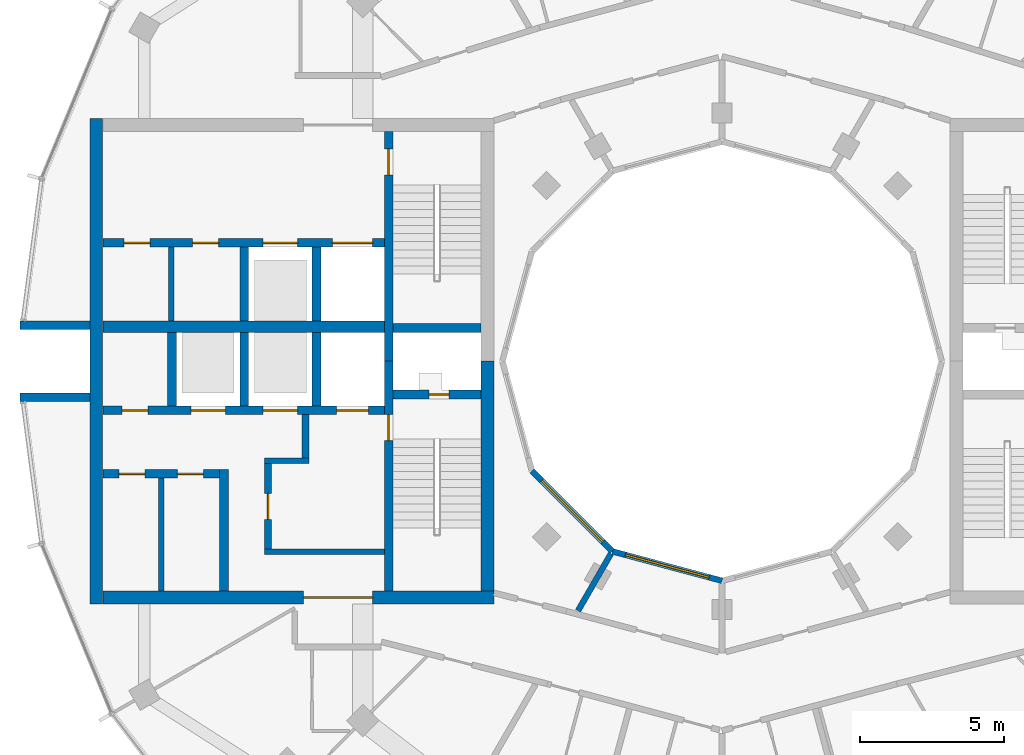
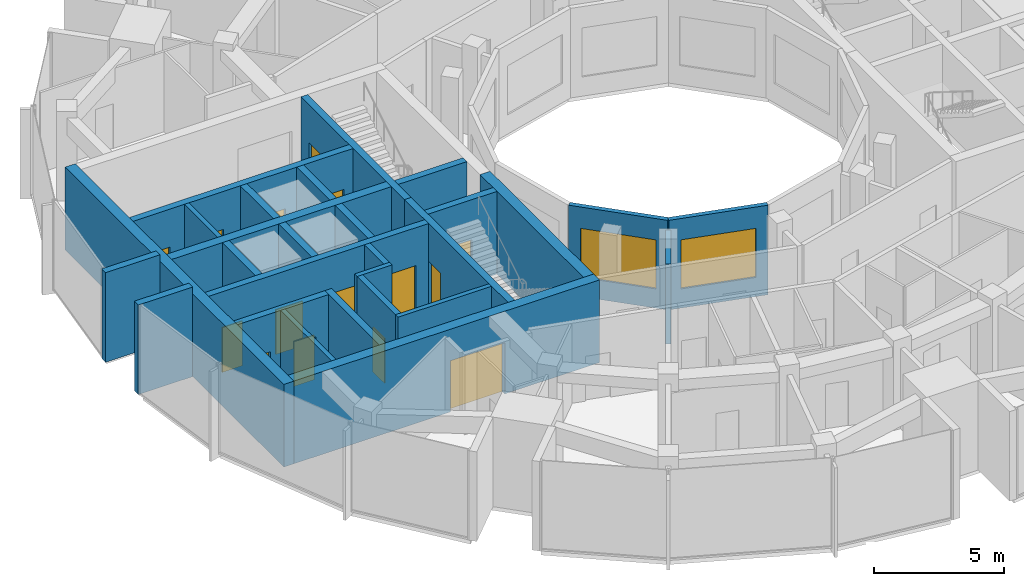
# One storey, part 9 of 15: 28 walls, 15 doors, 2 windows, 17 openings.
"""IFC4 building model written with IfcOpenShell, lengths in metres."""

from ifc_helpers import new_model, si_unit, direction, frame, frame_2d, origin, place, context, subcontext, project, spatial, rectangle, extrude, material, layer, layer_set, type_object, element, fill, save


model = new_model("IFC4")

# Units and contexts
model_context = context("Model", 3, precision=1e-05, world=origin(), true_north=direction((0.0, 1.0)))
body_context = subcontext(model_context, "Body", "Model", "MODEL_VIEW")
ifc_project = project(units=[si_unit("LENGTHUNIT", "METRE"), si_unit("AREAUNIT", "SQUARE_METRE"), si_unit("VOLUMEUNIT", "CUBIC_METRE"), si_unit("PLANEANGLEUNIT", "RADIAN"), si_unit("MASSUNIT", "GRAM", prefix="KILO")], contexts=[model_context])

# Site, building, storey
site_placement = place(None, origin())
site = spatial("IfcSite", under=ifc_project, at=site_placement, CompositionType="ELEMENT")
building_placement = place(site_placement, origin())
building = spatial("IfcBuilding", under=site, at=building_placement, Name="Torre Brocal", CompositionType="ELEMENT")
storey_placement = place(building_placement, frame((0.0, 0.0, 279.89990234375)))
storey = spatial("IfcBuildingStorey", under=building, at=storey_placement, Name="L64", CompositionType="ELEMENT", Elevation=279.89990234375)

# Walls
ifc_material_1 = material(Name="Masonry block", Category="masonry")
ifc_layer_1 = layer(ifc_material_1, 0.199951171875)
ifc_layer_set_1 = layer_set([ifc_layer_1], Name="Masonry block")
wall_type_1 = type_object("IfcWallType", Name="CORE PARTITION 200", PredefinedType="PARTITIONING", material=ifc_layer_set_1)
wall_1_placement = place(storey_placement, frame((60.925048828125, 78.949951171875, 0.0), z_axis=(0.0, 0.0, 1.0), x_axis=(0.0, -1.0, 0.0)))
element("IfcWall", 1, at=wall_1_placement, inside=storey, type_object=wall_type_1, Name="Wall CP200", PredefinedType="PARTITIONING", context=body_context, shape_type="SweptSolid", body=[
    extrude(rectangle(XDim=2.550048828125, YDim=0.199951171875, at=frame_2d((1.27490234375, 0.0))), origin(), (0.0, 0.0, 1.0), 3.880126953125),
])
wall_2_placement = place(storey_placement, frame((60.574951171875, 70.949951171875, 0.0), z_axis=(0.0, 0.0, 1.0), x_axis=(0.0, -1.0, 0.0)))
element("IfcWall", 2, at=wall_2_placement, inside=storey, type_object=wall_type_1, Name="Wall CP200", PredefinedType="PARTITIONING", context=body_context, shape_type="SweptSolid", body=[
    extrude(rectangle(XDim=3.89990234375, YDim=0.199951171875, at=frame_2d((1.949951171875, 0.0))), origin(), (0.0, 0.0, 1.0), 3.880126953125),
])
ifc_material_2 = material(Name="Concrete C50", Category="concrete")
ifc_layer_2 = layer(ifc_material_2, 0.199951171875)
ifc_layer_set_2 = layer_set([ifc_layer_2], Name="Concrete C50")
wall_type_2 = type_object("IfcWallType", Name="CORE WALL 200 C50", PredefinedType="SHEAR", material=ifc_layer_set_2)
wall_3_placement = place(storey_placement, frame((68.300048828125, 68.39990234375, 0.0), z_axis=(0.0, 0.0, 1.0), x_axis=(-1.0, 0.0, 0.0)))
element("IfcWall", 3, at=wall_3_placement, inside=storey, type_object=wall_type_2, Name="Wall CW200-50", PredefinedType="SHEAR", context=body_context, shape_type="SweptSolid", body=[
    extrude(rectangle(XDim=4.150146484375, YDim=0.199951171875, at=frame_2d((2.0751953125, 0.0))), origin(), (0.0, 0.0, 1.0), 3.880126953125),
])
wall_4_placement = place(storey_placement, frame((65.699951171875, 71.550048828125, 0.0), z_axis=(0.0, 0.0, 1.0), x_axis=(-1.0, 0.0, 0.0)))
element("IfcWall", 4, at=wall_4_placement, inside=storey, type_object=wall_type_2, Name="Wall CW200-50", PredefinedType="SHEAR", context=body_context, shape_type="SweptSolid", body=[
    extrude(rectangle(XDim=1.550048828125, YDim=0.199951171875, at=frame_2d((0.77490234375, 0.0))), origin(), (0.0, 0.0, 1.0), 3.880126953125),
])

# Wall, opening, door
ifc_material_3 = material(Name="Concrete C50", Category="concrete")
ifc_layer_3 = layer(ifc_material_3, 0.25)
ifc_layer_set_3 = layer_set([ifc_layer_3], Name="Concrete C50")
wall_type_3 = type_object("IfcWallType", Name="CORE WALL 250 C50", PredefinedType="SHEAR", material=ifc_layer_set_3)
wall_5_placement = place(storey_placement, frame((64.27490234375, 71.449951171875, 0.0), z_axis=(0.0, 0.0, 1.0), x_axis=(0.0, -1.0, 0.0)))
wall_5 = element("IfcWall", 5, at=wall_5_placement, inside=storey, type_object=wall_type_3, Name="Wall CW250-50", PredefinedType="SHEAR", context=body_context, shape_type="SweptSolid", body=[
    extrude(rectangle(XDim=2.949951171875, YDim=0.25, at=frame_2d((1.47509765625, 0.0))), origin(), (0.0, 0.0, 1.0), 3.880126953125),
])
opening_1_placement = place(wall_5_placement, frame((1.02490234375, 0.0, 0.0)))
opening_1 = element("IfcOpeningElement", 6, at=opening_1_placement, cuts=wall_5, Name="Opening W-D26", PredefinedType="OPENING", context=body_context, shape_type="SweptSolid", body=[
    extrude(rectangle(XDim=0.89990234375, YDim=2.10009765625, at=frame_2d((0.449951171875, 1.050048828125))), frame((0.0, 0.135009765625, 0.0), z_axis=(0.0, -1.0, 0.0), x_axis=(1.0, 0.0, 0.0)), (0.0, 0.0, 1.0), 0.27001953125),
])
ifc_material_4 = material(Name="Steel A653", Category="steel")
door_type_1 = type_object("IfcDoorType", Name="LOBBY DOOR FD120 900X2100", OperationType="SINGLE_SWING_RIGHT", PredefinedType="DOOR", material=ifc_material_4)
door_1_placement = place(opening_1_placement, origin())
door_1 = element("IfcDoor", 7, at=door_1_placement, inside=storey, type_object=door_type_1, Name="Door W-D26", OperationType="SINGLE_SWING_LEFT", OverallHeight=2.10009765625, OverallWidth=0.89990234375, PredefinedType="DOOR", context=body_context, shape_type="SweptSolid", body=[
    extrude(rectangle(XDim=0.89990234375, YDim=2.10009765625, at=frame_2d((0.449951171875, 1.050048828125))), frame((0.0, 0.02490234375, 0.0), z_axis=(0.0, -1.0, 0.0), x_axis=(1.0, 0.0, 0.0)), (0.0, 0.0, 1.0), 0.050048828125),
])
fill(opening_1, door_1)

# Wall
wall_6_placement = place(storey_placement, frame((65.574951171875, 73.14990234375, 0.0), z_axis=(0.0, 0.0, 1.0), x_axis=(0.0, -1.0, 0.0)))
element("IfcWall", 8, at=wall_6_placement, inside=storey, type_object=wall_type_3, Name="Wall CW250-50", PredefinedType="SHEAR", context=body_context, shape_type="SweptSolid", body=[
    extrude(rectangle(XDim=1.5, YDim=0.25, at=frame_2d((0.75, 0.0))), origin(), (0.0, 0.0, 1.0), 3.880126953125),
])

# Wall, opening, door
ifc_material_5 = material(Name="Concrete C50", Category="concrete")
ifc_layer_4 = layer(ifc_material_5, 0.300048828125)
ifc_layer_set_4 = layer_set([ifc_layer_4], Name="Concrete C50")
wall_type_4 = type_object("IfcWallType", Name="CORE WALL 300 C50", PredefinedType="SHEAR", material=ifc_layer_set_4)
wall_7_placement = place(storey_placement, frame((68.449951171875, 75.0, 0.0), z_axis=(0.0, 0.0, 1.0), x_axis=(0.0, -1.0, 0.0)))
wall_7 = element("IfcWall", 9, at=wall_7_placement, inside=storey, type_object=wall_type_4, Name="Wall CW300-50", PredefinedType="SHEAR", context=body_context, shape_type="SweptSolid", body=[
    extrude(rectangle(XDim=7.949951171875, YDim=0.300048828125, at=frame_2d((3.97509765625, 0.0))), origin(), (0.0, 0.0, 1.0), 3.880126953125),
])
opening_2_placement = place(wall_7_placement, frame((1.85009765625, 0.0, 0.0)))
opening_2 = element("IfcOpeningElement", 10, at=opening_2_placement, cuts=wall_7, Name="Opening W-D02", PredefinedType="OPENING", context=body_context, shape_type="SweptSolid", body=[
    extrude(rectangle(XDim=0.89990234375, YDim=2.10009765625, at=frame_2d((0.449951171875, 1.050048828125))), frame((0.0, 0.159912109375, 0.0), z_axis=(0.0, -1.0, 0.0), x_axis=(1.0, 0.0, 0.0)), (0.0, 0.0, 1.0), 0.320068359375),
])
ifc_material_6 = material(Name="Steel A653", Category="steel")
door_type_2 = type_object("IfcDoorType", Name="STAIR DOOR FD120 900X2100", OperationType="SINGLE_SWING_RIGHT", PredefinedType="DOOR", material=ifc_material_6)
door_2_placement = place(opening_2_placement, origin())
door_2 = element("IfcDoor", 11, at=door_2_placement, inside=storey, type_object=door_type_2, Name="Door W-D02", OperationType="SINGLE_SWING_LEFT", OverallHeight=2.10009765625, OverallWidth=0.89990234375, PredefinedType="DOOR", context=body_context, shape_type="SweptSolid", body=[
    extrude(rectangle(XDim=0.89990234375, YDim=2.10009765625, at=frame_2d((0.449951171875, 1.050048828125))), frame((0.0, 0.02490234375, 0.0), z_axis=(0.0, -1.0, 0.0), x_axis=(1.0, 0.0, 0.0)), (0.0, 0.0, 1.0), 0.050048828125),
])
fill(opening_2, door_2)

wall_8_placement = place(storey_placement, frame((68.449951171875, 82.949951171875, 0.0), z_axis=(0.0, 0.0, 1.0), x_axis=(0.0, -1.0, 0.0)))
wall_8 = element("IfcWall", 12, at=wall_8_placement, inside=storey, type_object=wall_type_4, Name="Wall CW300-50", PredefinedType="SHEAR", context=body_context, shape_type="SweptSolid", body=[
    extrude(rectangle(XDim=7.949951171875, YDim=0.300048828125, at=frame_2d((3.97509765625, 0.0))), origin(), (0.0, 0.0, 1.0), 3.880126953125),
])
opening_3_placement = place(wall_8_placement, frame((0.60009765625, 0.0, 0.0)))
opening_3 = element("IfcOpeningElement", 13, at=opening_3_placement, cuts=wall_8, Name="Opening W-D03", PredefinedType="OPENING", context=body_context, shape_type="SweptSolid", body=[
    extrude(rectangle(XDim=0.89990234375, YDim=2.10009765625, at=frame_2d((0.449951171875, 1.050048828125))), frame((0.0, 0.159912109375, 0.0), z_axis=(0.0, -1.0, 0.0), x_axis=(1.0, 0.0, 0.0)), (0.0, 0.0, 1.0), 0.320068359375),
])
door_3_placement = place(opening_3_placement, origin())
door_3 = element("IfcDoor", 14, at=door_3_placement, inside=storey, type_object=door_type_2, Name="Door W-D03", OperationType="SINGLE_SWING_LEFT", OverallHeight=2.10009765625, OverallWidth=0.89990234375, PredefinedType="DOOR", context=body_context, shape_type="SweptSolid", body=[
    extrude(rectangle(XDim=0.89990234375, YDim=2.10009765625, at=frame_2d((0.449951171875, 1.050048828125))), frame((0.0, 0.02490234375, 0.0), z_axis=(0.0, -1.0, 0.0), x_axis=(1.0, 0.0, 0.0)), (0.0, 0.0, 1.0), 0.050048828125),
])
fill(opening_3, door_3)

wall_9_placement = place(storey_placement, frame((71.64990234375, 73.85009765625, 0.0), z_axis=(0.0, 0.0, 1.0), x_axis=(-1.0, 0.0, 0.0)))
wall_9 = element("IfcWall", 15, at=wall_9_placement, inside=storey, type_object=wall_type_4, Name="Wall CW300-50", PredefinedType="SHEAR", context=body_context, shape_type="SweptSolid", body=[
    extrude(rectangle(XDim=3.0498046875, YDim=0.300048828125, at=frame_2d((1.52490234375, 0.0))), origin(), (0.0, 0.0, 1.0), 3.880126953125),
])
opening_4_placement = place(wall_9_placement, frame((1.10009765625, 0.0, 0.0)))
opening_4 = element("IfcOpeningElement", 16, at=opening_4_placement, cuts=wall_9, Name="Opening W-D01", PredefinedType="OPENING", context=body_context, shape_type="SweptSolid", body=[
    extrude(rectangle(XDim=0.699951171875, YDim=2.0, at=frame_2d((0.35009765625, 1.0))), frame((0.0, 0.159912109375, 0.0), z_axis=(0.0, -1.0, 0.0), x_axis=(1.0, 0.0, 0.0)), (0.0, 0.0, 1.0), 0.320068359375),
])
ifc_material_7 = material(Name="Steel A653", Category="steel")
door_type_3 = type_object("IfcDoorType", Name="RISER DOOR FD120 700X2000", OperationType="SINGLE_SWING_LEFT", PredefinedType="DOOR", material=ifc_material_7)
door_4_placement = place(opening_4_placement, frame((0.699951171875, 0.0, 0.0), z_axis=(0.0, 0.0, 1.0), x_axis=(-1.0, 0.0, 0.0)))
door_4 = element("IfcDoor", 17, at=door_4_placement, inside=storey, type_object=door_type_3, Name="Door W-D01", OperationType="SINGLE_SWING_RIGHT", OverallHeight=2.0, OverallWidth=0.699951171875, PredefinedType="DOOR", context=body_context, shape_type="SweptSolid", body=[
    extrude(rectangle(XDim=0.699951171875, YDim=2.0, at=frame_2d((0.35009765625, 1.0))), frame((0.0, 0.02490234375, 0.0), z_axis=(0.0, -1.0, 0.0), x_axis=(1.0, 0.0, 0.0)), (0.0, 0.0, 1.0), 0.050048828125),
])
fill(opening_4, door_4)

# Wall
wall_10_placement = place(storey_placement, frame((71.64990234375, 76.14990234375, 0.0), z_axis=(0.0, 0.0, 1.0), x_axis=(-1.0, 0.0, 0.0)))
element("IfcWall", 18, at=wall_10_placement, inside=storey, type_object=wall_type_4, Name="Wall CW300-50", PredefinedType="SHEAR", context=body_context, shape_type="SweptSolid", body=[
    extrude(rectangle(XDim=3.0498046875, YDim=0.300048828125, at=frame_2d((1.52490234375, 0.0))), origin(), (0.0, 0.0, 1.0), 3.880126953125),
])

# Wall, openings, doors
wall_11_placement = place(storey_placement, frame((68.300048828125, 73.300048828125, 0.0), z_axis=(0.0, 0.0, 1.0), x_axis=(-1.0, 0.0, 0.0)))
wall_11 = element("IfcWall", 19, at=wall_11_placement, inside=storey, type_object=wall_type_4, Name="Wall CW300-50", PredefinedType="SHEAR", context=body_context, shape_type="SweptSolid", body=[
    extrude(rectangle(XDim=9.75, YDim=0.300048828125, at=frame_2d((4.875, 0.0))), origin(), (0.0, 0.0, 1.0), 3.880126953125),
])
opening_5_placement = place(wall_11_placement, frame((0.550048828125, 0.0, 0.0)))
opening_5 = element("IfcOpeningElement", 20, at=opening_5_placement, cuts=wall_11, Name="Opening LD", PredefinedType="OPENING", context=body_context, shape_type="SweptSolid", body=[
    extrude(rectangle(XDim=1.10009765625, YDim=2.10009765625, at=frame_2d((0.550048828125, 1.050048828125))), frame((0.0, 0.159912109375, 0.0), z_axis=(0.0, -1.0, 0.0), x_axis=(1.0, 0.0, 0.0)), (0.0, 0.0, 1.0), 0.320068359375),
])
opening_6_placement = place(wall_11_placement, frame((3.0, 0.0, 0.0)))
opening_6 = element("IfcOpeningElement", 21, at=opening_6_placement, cuts=wall_11, Name="Opening LD12", PredefinedType="OPENING", context=body_context, shape_type="SweptSolid", body=[
    extrude(rectangle(XDim=1.199951171875, YDim=2.10009765625, at=frame_2d((0.60009765625, 1.050048828125))), frame((0.0, 0.159912109375, 0.0), z_axis=(0.0, -1.0, 0.0), x_axis=(1.0, 0.0, 0.0)), (0.0, 0.0, 1.0), 0.320068359375),
])
opening_7_placement = place(wall_11_placement, frame((5.5, 0.0, 0.0)))
opening_7 = element("IfcOpeningElement", 22, at=opening_7_placement, cuts=wall_11, Name="Opening LD12", PredefinedType="OPENING", context=body_context, shape_type="SweptSolid", body=[
    extrude(rectangle(XDim=1.199951171875, YDim=2.10009765625, at=frame_2d((0.60009765625, 1.050048828125))), frame((0.0, 0.159912109375, 0.0), z_axis=(0.0, -1.0, 0.0), x_axis=(1.0, 0.0, 0.0)), (0.0, 0.0, 1.0), 0.320068359375),
])
opening_8_placement = place(wall_11_placement, frame((8.175048828125, 0.0, 0.0)))
opening_8 = element("IfcOpeningElement", 23, at=opening_8_placement, cuts=wall_11, Name="Opening W-D04", PredefinedType="OPENING", context=body_context, shape_type="SweptSolid", body=[
    extrude(rectangle(XDim=0.89990234375, YDim=2.10009765625, at=frame_2d((0.449951171875, 1.050048828125))), frame((0.0, 0.159912109375, 0.0), z_axis=(0.0, -1.0, 0.0), x_axis=(1.0, 0.0, 0.0)), (0.0, 0.0, 1.0), 0.320068359375),
])
ifc_material_8 = material(Name="Stainless steel AISI 316", Category="steel")
door_type_4 = type_object("IfcDoorType", Name="LIFT LANDING DOOR 1100X2100", OperationType="DOUBLE_DOOR_SLIDING", PredefinedType="DOOR", material=ifc_material_8)
door_5_placement = place(opening_5_placement, origin())
door_5 = element("IfcDoor", 24, at=door_5_placement, inside=storey, type_object=door_type_4, Name="Door LD", OperationType="DOUBLE_DOOR_SLIDING", OverallHeight=2.10009765625, OverallWidth=1.10009765625, PredefinedType="DOOR", context=body_context, shape_type="SweptSolid", body=[
    extrude(rectangle(XDim=1.10009765625, YDim=2.10009765625, at=frame_2d((0.550048828125, 1.050048828125))), frame((0.0, 0.02490234375, 0.0), z_axis=(0.0, -1.0, 0.0), x_axis=(1.0, 0.0, 0.0)), (0.0, 0.0, 1.0), 0.050048828125),
])
fill(opening_5, door_5)
ifc_material_9 = material(Name="Stainless steel AISI 316", Category="steel")
door_type_5 = type_object("IfcDoorType", Name="LIFT LANDING DOOR 1200X2100", OperationType="DOUBLE_DOOR_SLIDING", PredefinedType="DOOR", material=ifc_material_9)
door_6_placement = place(opening_6_placement, origin())
door_6 = element("IfcDoor", 25, at=door_6_placement, inside=storey, type_object=door_type_5, Name="Door LD12", OperationType="DOUBLE_DOOR_SLIDING", OverallHeight=2.10009765625, OverallWidth=1.199951171875, PredefinedType="DOOR", context=body_context, shape_type="SweptSolid", body=[
    extrude(rectangle(XDim=1.199951171875, YDim=2.10009765625, at=frame_2d((0.60009765625, 1.050048828125))), frame((0.0, 0.02490234375, 0.0), z_axis=(0.0, -1.0, 0.0), x_axis=(1.0, 0.0, 0.0)), (0.0, 0.0, 1.0), 0.050048828125),
])
fill(opening_6, door_6)
door_7_placement = place(opening_7_placement, origin())
door_7 = element("IfcDoor", 26, at=door_7_placement, inside=storey, type_object=door_type_5, Name="Door LD12", OperationType="DOUBLE_DOOR_SLIDING", OverallHeight=2.10009765625, OverallWidth=1.199951171875, PredefinedType="DOOR", context=body_context, shape_type="SweptSolid", body=[
    extrude(rectangle(XDim=1.199951171875, YDim=2.10009765625, at=frame_2d((0.60009765625, 1.050048828125))), frame((0.0, 0.02490234375, 0.0), z_axis=(0.0, -1.0, 0.0), x_axis=(1.0, 0.0, 0.0)), (0.0, 0.0, 1.0), 0.050048828125),
])
fill(opening_7, door_7)
ifc_material_10 = material(Name="Steel A653", Category="steel")
door_type_6 = type_object("IfcDoorType", Name="ROOM DOOR FD30S 900X2100", OperationType="SINGLE_SWING_LEFT", PredefinedType="DOOR", material=ifc_material_10)
door_8_placement = place(opening_8_placement, frame((0.89990234375, 0.0, 0.0), z_axis=(0.0, 0.0, 1.0), x_axis=(-1.0, 0.0, 0.0)))
door_8 = element("IfcDoor", 27, at=door_8_placement, inside=storey, type_object=door_type_6, Name="Door W-D04", OperationType="SINGLE_SWING_LEFT", OverallHeight=2.10009765625, OverallWidth=0.89990234375, PredefinedType="DOOR", context=body_context, shape_type="SweptSolid", body=[
    extrude(rectangle(XDim=0.89990234375, YDim=2.10009765625, at=frame_2d((0.449951171875, 1.050048828125))), frame((0.0, 0.02490234375, 0.0), z_axis=(0.0, -1.0, 0.0), x_axis=(1.0, 0.0, 0.0)), (0.0, 0.0, 1.0), 0.050048828125),
])
fill(opening_8, door_8)

wall_12_placement = place(storey_placement, frame((68.300048828125, 79.10009765625, 0.0), z_axis=(0.0, 0.0, 1.0), x_axis=(-1.0, 0.0, 0.0)))
wall_12 = element("IfcWall", 28, at=wall_12_placement, inside=storey, type_object=wall_type_4, Name="Wall CW300-50", PredefinedType="SHEAR", context=body_context, shape_type="SweptSolid", body=[
    extrude(rectangle(XDim=9.75, YDim=0.300048828125, at=frame_2d((4.875, 0.0))), origin(), (0.0, 0.0, 1.0), 3.880126953125),
])
opening_9_placement = place(wall_12_placement, frame((0.39990234375, 0.0, 0.0)))
opening_9 = element("IfcOpeningElement", 29, at=opening_9_placement, cuts=wall_12, Name="Opening LD14", PredefinedType="OPENING", context=body_context, shape_type="SweptSolid", body=[
    extrude(rectangle(XDim=1.39990234375, YDim=2.10009765625, at=frame_2d((0.699951171875, 1.050048828125))), frame((0.0, 0.159912109375, 0.0), z_axis=(0.0, -1.0, 0.0), x_axis=(1.0, 0.0, 0.0)), (0.0, 0.0, 1.0), 0.320068359375),
])
opening_10_placement = place(wall_12_placement, frame((3.0, 0.0, 0.0)))
opening_10 = element("IfcOpeningElement", 30, at=opening_10_placement, cuts=wall_12, Name="Opening LD12", PredefinedType="OPENING", context=body_context, shape_type="SweptSolid", body=[
    extrude(rectangle(XDim=1.199951171875, YDim=2.10009765625, at=frame_2d((0.60009765625, 1.050048828125))), frame((0.0, 0.159912109375, 0.0), z_axis=(0.0, -1.0, 0.0), x_axis=(1.0, 0.0, 0.0)), (0.0, 0.0, 1.0), 0.320068359375),
])
opening_11_placement = place(wall_12_placement, frame((5.737548828125, 0.0, 0.0)))
opening_11 = element("IfcOpeningElement", 31, at=opening_11_placement, cuts=wall_12, Name="Opening W-D05", PredefinedType="OPENING", context=body_context, shape_type="SweptSolid", body=[
    extrude(rectangle(XDim=0.89990234375, YDim=2.10009765625, at=frame_2d((0.449951171875, 1.050048828125))), frame((0.0, 0.159912109375, 0.0), z_axis=(0.0, -1.0, 0.0), x_axis=(1.0, 0.0, 0.0)), (0.0, 0.0, 1.0), 0.320068359375),
])
opening_12_placement = place(wall_12_placement, frame((8.112548828125, 0.0, 0.0)))
opening_12 = element("IfcOpeningElement", 32, at=opening_12_placement, cuts=wall_12, Name="Opening W-D06", PredefinedType="OPENING", context=body_context, shape_type="SweptSolid", body=[
    extrude(rectangle(XDim=0.89990234375, YDim=2.10009765625, at=frame_2d((0.449951171875, 1.050048828125))), frame((0.0, 0.159912109375, 0.0), z_axis=(0.0, -1.0, 0.0), x_axis=(1.0, 0.0, 0.0)), (0.0, 0.0, 1.0), 0.320068359375),
])
door_9_placement = place(opening_10_placement, origin())
door_9 = element("IfcDoor", 33, at=door_9_placement, inside=storey, type_object=door_type_5, Name="Door LD12", OperationType="DOUBLE_DOOR_SLIDING", OverallHeight=2.10009765625, OverallWidth=1.199951171875, PredefinedType="DOOR", context=body_context, shape_type="SweptSolid", body=[
    extrude(rectangle(XDim=1.199951171875, YDim=2.10009765625, at=frame_2d((0.60009765625, 1.050048828125))), frame((0.0, 0.02490234375, 0.0), z_axis=(0.0, -1.0, 0.0), x_axis=(1.0, 0.0, 0.0)), (0.0, 0.0, 1.0), 0.050048828125),
])
fill(opening_10, door_9)
ifc_material_11 = material(Name="Stainless steel AISI 316", Category="steel")
door_type_7 = type_object("IfcDoorType", Name="LIFT LANDING DOOR 1400X2100", OperationType="DOUBLE_DOOR_SLIDING", PredefinedType="DOOR", material=ifc_material_11)
door_10_placement = place(opening_9_placement, origin())
door_10 = element("IfcDoor", 34, at=door_10_placement, inside=storey, type_object=door_type_7, Name="Door LD14", OperationType="DOUBLE_DOOR_SLIDING", OverallHeight=2.10009765625, OverallWidth=1.39990234375, PredefinedType="DOOR", context=body_context, shape_type="SweptSolid", body=[
    extrude(rectangle(XDim=1.39990234375, YDim=2.10009765625, at=frame_2d((0.699951171875, 1.050048828125))), frame((0.0, 0.02490234375, 0.0), z_axis=(0.0, -1.0, 0.0), x_axis=(1.0, 0.0, 0.0)), (0.0, 0.0, 1.0), 0.050048828125),
])
fill(opening_9, door_10)
door_11_placement = place(opening_11_placement, origin())
door_11 = element("IfcDoor", 35, at=door_11_placement, inside=storey, type_object=door_type_6, Name="Door W-D05", OperationType="SINGLE_SWING_RIGHT", OverallHeight=2.10009765625, OverallWidth=0.89990234375, PredefinedType="DOOR", context=body_context, shape_type="SweptSolid", body=[
    extrude(rectangle(XDim=0.89990234375, YDim=2.10009765625, at=frame_2d((0.449951171875, 1.050048828125))), frame((0.0, 0.02490234375, 0.0), z_axis=(0.0, -1.0, 0.0), x_axis=(1.0, 0.0, 0.0)), (0.0, 0.0, 1.0), 0.050048828125),
])
fill(opening_11, door_11)
door_12_placement = place(opening_12_placement, origin())
door_12 = element("IfcDoor", 36, at=door_12_placement, inside=storey, type_object=door_type_6, Name="Door W-D06", OperationType="SINGLE_SWING_LEFT", OverallHeight=2.10009765625, OverallWidth=0.89990234375, PredefinedType="DOOR", context=body_context, shape_type="SweptSolid", body=[
    extrude(rectangle(XDim=0.89990234375, YDim=2.10009765625, at=frame_2d((0.449951171875, 1.050048828125))), frame((0.0, 0.02490234375, 0.0), z_axis=(0.0, -1.0, 0.0), x_axis=(1.0, 0.0, 0.0)), (0.0, 0.0, 1.0), 0.050048828125),
])
fill(opening_12, door_12)

# Walls
for number, where, z_axis, x_axis, name in (
    (37, (65.949951171875, 76.0, 0.0), (0.0, 0.0, 1.0), (0.0, -1.0, 0.0), "Wall CW300-50"),
    (38, (63.449951171875, 76.0, 0.0), (0.0, 0.0, 1.0), (0.0, -1.0, 0.0), "Wall CW300-50"),
    (39, (60.949951171875, 76.0, 0.0), (0.0, 0.0, 1.0), (0.0, -1.0, 0.0), "Wall CW300-50"),
    (40, (65.949951171875, 78.949951171875, 0.0), (0.0, 0.0, 1.0), (0.0, -1.0, 0.0), "Wall CW300-50"),
    (41, (63.449951171875, 78.949951171875, 0.0), (0.0, 0.0, 1.0), (0.0, -1.0, 0.0), "Wall CW300-50"),
):
    element("IfcWall", number, at=place(storey_placement, frame(where, z_axis=z_axis, x_axis=x_axis)), inside=storey, type_object=wall_type_4, Name=name, PredefinedType="SHEAR", context=body_context, shape_type="SweptSolid", body=[
        extrude(rectangle(XDim=2.550048828125, YDim=0.300048828125, at=frame_2d((1.27490234375, 0.0))), origin(), (0.0, 0.0, 1.0), 3.880126953125),
    ])
wall_13_placement = place(storey_placement, frame((62.75, 71.25, 0.0), z_axis=(0.0, 0.0, 1.0), x_axis=(0.0, -1.0, 0.0)))
element("IfcWall", 42, at=wall_13_placement, inside=storey, type_object=wall_type_4, Name="Wall CW300-50", PredefinedType="SHEAR", context=body_context, shape_type="SweptSolid", body=[
    extrude(rectangle(XDim=4.199951171875, YDim=0.300048828125, at=frame_2d((2.10009765625, 0.0))), origin(), (0.0, 0.0, 1.0), 3.880126953125),
])

# Wall, openings, doors
wall_14_placement = place(storey_placement, frame((62.60009765625, 71.10009765625, 0.0), z_axis=(0.0, 0.0, 1.0), x_axis=(-1.0, 0.0, 0.0)))
wall_14 = element("IfcWall", 43, at=wall_14_placement, inside=storey, type_object=wall_type_4, Name="Wall CW300-50", PredefinedType="SHEAR", context=body_context, shape_type="SweptSolid", body=[
    extrude(rectangle(XDim=4.050048828125, YDim=0.300048828125, at=frame_2d((2.02490234375, 0.0))), origin(), (0.0, 0.0, 1.0), 3.880126953125),
])
opening_13_placement = place(wall_14_placement, frame((0.5625, 0.0, 0.0)))
opening_13 = element("IfcOpeningElement", 44, at=opening_13_placement, cuts=wall_14, Name="Opening W-D28", PredefinedType="OPENING", context=body_context, shape_type="SweptSolid", body=[
    extrude(rectangle(XDim=0.89990234375, YDim=2.10009765625, at=frame_2d((0.449951171875, 1.050048828125))), frame((0.0, 0.159912109375, 0.0), z_axis=(0.0, -1.0, 0.0), x_axis=(1.0, 0.0, 0.0)), (0.0, 0.0, 1.0), 0.320068359375),
])
opening_14_placement = place(wall_14_placement, frame((2.58740234375, 0.0, 0.0)))
opening_14 = element("IfcOpeningElement", 45, at=opening_14_placement, cuts=wall_14, Name="Opening W-D09", PredefinedType="OPENING", context=body_context, shape_type="SweptSolid", body=[
    extrude(rectangle(XDim=0.89990234375, YDim=2.10009765625, at=frame_2d((0.449951171875, 1.050048828125))), frame((0.0, 0.159912109375, 0.0), z_axis=(0.0, -1.0, 0.0), x_axis=(1.0, 0.0, 0.0)), (0.0, 0.0, 1.0), 0.320068359375),
])
door_13_placement = place(opening_13_placement, origin())
door_13 = element("IfcDoor", 46, at=door_13_placement, inside=storey, type_object=door_type_6, Name="Door W-D28", OperationType="SINGLE_SWING_RIGHT", OverallHeight=2.10009765625, OverallWidth=0.89990234375, PredefinedType="DOOR", context=body_context, shape_type="SweptSolid", body=[
    extrude(rectangle(XDim=0.89990234375, YDim=2.10009765625, at=frame_2d((0.449951171875, 1.050048828125))), frame((0.0, 0.02490234375, 0.0), z_axis=(0.0, -1.0, 0.0), x_axis=(1.0, 0.0, 0.0)), (0.0, 0.0, 1.0), 0.050048828125),
])
fill(opening_13, door_13)
door_14_placement = place(opening_14_placement, origin())
door_14 = element("IfcDoor", 47, at=door_14_placement, inside=storey, type_object=door_type_6, Name="Door W-D09", OperationType="SINGLE_SWING_LEFT", OverallHeight=2.10009765625, OverallWidth=0.89990234375, PredefinedType="DOOR", context=body_context, shape_type="SweptSolid", body=[
    extrude(rectangle(XDim=0.89990234375, YDim=2.10009765625, at=frame_2d((0.449951171875, 1.050048828125))), frame((0.0, 0.02490234375, 0.0), z_axis=(0.0, -1.0, 0.0), x_axis=(1.0, 0.0, 0.0)), (0.0, 0.0, 1.0), 0.050048828125),
])
fill(opening_14, door_14)

# Wall
ifc_material_12 = material(Name="Concrete C50", Category="concrete")
ifc_layer_5 = layer(ifc_material_12, 0.39990234375)
ifc_layer_set_5 = layer_set([ifc_layer_5], Name="Concrete C50")
wall_type_5 = type_object("IfcWallType", Name="CORE WALL 400 C50", PredefinedType="SHEAR", material=ifc_layer_set_5)
wall_15_placement = place(storey_placement, frame((68.300048828125, 76.199951171875, 0.0), z_axis=(0.0, 0.0, 1.0), x_axis=(-1.0, 0.0, 0.0)))
element("IfcWall", 48, at=wall_15_placement, inside=storey, type_object=wall_type_5, Name="Wall CW400-50", PredefinedType="SHEAR", context=body_context, shape_type="SweptSolid", body=[
    extrude(rectangle(XDim=9.75, YDim=0.39990234375, at=frame_2d((4.875, 0.0))), origin(), (0.0, 0.0, 1.0), 3.880126953125),
])

# Wall, opening, door
ifc_material_13 = material(Name="Concrete C50", Category="concrete")
ifc_layer_6 = layer(ifc_material_13, 0.449951171875)
ifc_layer_set_6 = layer_set([ifc_layer_6], Name="Concrete C50")
wall_type_6 = type_object("IfcWallType", Name="CORE WALL 450 C50", PredefinedType="SHEAR", material=ifc_layer_set_6)
wall_16_placement = place(storey_placement, frame((72.10009765625, 66.824951171875, 0.0), z_axis=(0.0, 0.0, 1.0), x_axis=(-1.0, 0.0, 0.0)))
wall_16 = element("IfcWall", 49, at=wall_16_placement, inside=storey, type_object=wall_type_6, Name="Wall CW450-50", PredefinedType="SHEAR", context=body_context, shape_type="SweptSolid", body=[
    extrude(rectangle(XDim=13.550048828125, YDim=0.449951171875, at=frame_2d((6.77490234375, 0.0))), origin(), (0.0, 0.0, 1.0), 3.880126953125),
])
opening_15_placement = place(wall_16_placement, frame((4.199951171875, 0.0, 0.0)))
opening_15 = element("IfcOpeningElement", 50, at=opening_15_placement, cuts=wall_16, Name="Opening W-D32", PredefinedType="OPENING", context=body_context, shape_type="SweptSolid", body=[
    extrude(rectangle(XDim=2.39990234375, YDim=2.39990234375, at=frame_2d((1.199951171875, 1.199951171875))), frame((0.0, 0.23486328125, 0.0), z_axis=(0.0, -1.0, 0.0), x_axis=(1.0, 0.0, 0.0)), (0.0, 0.0, 1.0), 0.469970703125),
])
ifc_material_14 = material(Name="Steel A653", Category="steel")
door_type_8 = type_object("IfcDoorType", Name="DOUBLE FIRE DOOR FD90 2400X2400", OperationType="DOUBLE_DOOR_SINGLE_SWING", PredefinedType="DOOR", material=ifc_material_14)
door_15_placement = place(opening_15_placement, frame((2.39990234375, 0.0, 0.0), z_axis=(0.0, 0.0, 1.0), x_axis=(-1.0, 0.0, 0.0)))
door_15 = element("IfcDoor", 51, at=door_15_placement, inside=storey, type_object=door_type_8, Name="Door W-D32", OperationType="DOUBLE_DOOR_SINGLE_SWING", OverallHeight=2.39990234375, OverallWidth=2.39990234375, PredefinedType="DOOR", context=body_context, shape_type="SweptSolid", body=[
    extrude(rectangle(XDim=2.39990234375, YDim=2.39990234375, at=frame_2d((1.199951171875, 1.199951171875))), frame((0.0, 0.02490234375, 0.0), z_axis=(0.0, -1.0, 0.0), x_axis=(1.0, 0.0, 0.0)), (0.0, 0.0, 1.0), 0.050048828125),
])
fill(opening_15, door_15)

# Walls
wall_17_placement = place(storey_placement, frame((71.875, 75.0, 0.0), z_axis=(0.0, 0.0, 1.0), x_axis=(0.0, -1.0, 0.0)))
element("IfcWall", 52, at=wall_17_placement, inside=storey, type_object=wall_type_6, Name="Wall CW450-50", PredefinedType="SHEAR", context=body_context, shape_type="SweptSolid", body=[
    extrude(rectangle(XDim=7.949951171875, YDim=0.449951171875, at=frame_2d((3.97509765625, 0.0))), origin(), (0.0, 0.0, 1.0), 3.880126953125),
])
wall_18_placement = place(storey_placement, frame((58.324951171875, 83.39990234375, 0.0), z_axis=(0.0, 0.0, 1.0), x_axis=(0.0, -1.0, 0.0)))
element("IfcWall", 53, at=wall_18_placement, inside=storey, type_object=wall_type_6, Name="Wall CW450-50", PredefinedType="SHEAR", context=body_context, shape_type="SweptSolid", body=[
    extrude(rectangle(XDim=16.7998046875, YDim=0.449951171875, at=frame_2d((8.39990234375, 0.0))), origin(), (0.0, 0.0, 1.0), 3.880126953125),
])
ifc_material_15 = material(Name="Concrete C50", Category="concrete")
ifc_layer_7 = layer(ifc_material_15, 0.300048828125)
ifc_layer_set_7 = layer_set([ifc_layer_7], Name="Concrete C50")
wall_type_7 = type_object("IfcWallType", Name="NOTCH RETURN WALL 300 C50", PredefinedType="NOTDEFINED", material=ifc_layer_set_7)
for number, where, z_axis, x_axis, name in (
    (54, (58.10009765625, 76.25, 0.0), (0.0, 0.0, 1.0), (-1.0, 0.0, 0.0), "NOTCH RETURN WALL"),
    (55, (58.10009765625, 73.75, 0.0), (0.0, 0.0, 1.0), (-1.0, 0.0, 0.0), "NOTCH RETURN WALL"),
):
    element("IfcWall", number, at=place(storey_placement, frame(where, z_axis=z_axis, x_axis=x_axis)), inside=storey, type_object=wall_type_7, Name=name, PredefinedType="NOTDEFINED", context=body_context, shape_type="SweptSolid", body=[
        extrude(rectangle(XDim=2.415771484375, YDim=0.300048828125, at=frame_2d((1.2080078125, 0.0))), origin(), (0.0, 0.0, 1.0), 4.2001953125),
    ])
ifc_material_16 = material(Name="Gypsum board", Category="Gypsum")
ifc_layer_8 = layer(ifc_material_16, 0.199951171875)
ifc_layer_set_8 = layer_set([ifc_layer_8], Name="Gypsum board")
wall_type_8 = type_object("IfcWallType", Name="PARTITION 200 EI60", PredefinedType="PARTITIONING", material=ifc_layer_set_8)
wall_19_placement = place(storey_placement, frame((75.01220703125, 66.363037109375, 0.0), z_axis=(0.0, 0.0, 1.0), x_axis=(0.500097042406, 0.865969369075, 0.0)))
element("IfcWall", 56, at=wall_19_placement, inside=storey, type_object=wall_type_8, Name="SERVICE ROOM WALL", PredefinedType="PARTITIONING", context=body_context, shape_type="SweptSolid", body=[
    extrude(rectangle(XDim=2.275390625, YDim=0.199951171875, at=frame_2d((1.1376953125, 0.0))), origin(), (0.0, 0.0, 1.0), 3.75),
])

# Wall, opening, window
ifc_material_17 = material(Name="Concrete C40", Category="concrete")
ifc_layer_9 = layer(ifc_material_17, 0.199951171875)
ifc_layer_set_9 = layer_set([ifc_layer_9], Name="Concrete C40")
wall_type_9 = type_object("IfcWallType", Name="WELL FACADE WALL 200", PredefinedType="NOTDEFINED", material=ifc_layer_set_9)
wall_20_placement = place(storey_placement, frame((73.4150390625, 71.1982421875, 0.0), z_axis=(0.0, 0.0, 1.0), x_axis=(0.707106781187, -0.707106781187, 0.0)))
wall_20 = element("IfcWall", 57, at=wall_20_placement, inside=storey, type_object=wall_type_9, Name="WELL FACADE WALL", PredefinedType="NOTDEFINED", context=body_context, shape_type="SweptSolid", body=[
    extrude(rectangle(XDim=3.93603515625, YDim=0.199951171875, at=frame_2d((1.968017578125, 0.0))), origin(), (0.0, 0.0, 1.0), 4.2001953125),
])
opening_16_placement = place(wall_20_placement, frame((0.468017578125, 0.0, 0.89990234375)))
opening_16 = element("IfcOpeningElement", 58, at=opening_16_placement, cuts=wall_20, Name="Opening W1", PredefinedType="OPENING", context=body_context, shape_type="SweptSolid", body=[
    extrude(rectangle(XDim=3.0, YDim=2.300048828125, at=frame_2d((1.5, 1.14990234375))), frame((0.0, 0.10986328125, 0.0), z_axis=(0.0, -1.0, 0.0), x_axis=(1.0, 0.0, 0.0)), (0.0, 0.0, 1.0), 0.219970703125),
])
ifc_material_18 = material(Name="Aluminium and glass", Category="aluminium")
window_type = type_object("IfcWindowType", Name="WELL WINDOW 3000X2300", PartitioningType="SINGLE_PANEL", PredefinedType="WINDOW", material=ifc_material_18)
window_1_placement = place(opening_16_placement, origin())
window_1 = element("IfcWindow", 59, at=window_1_placement, inside=storey, type_object=window_type, Name="WELL WINDOW 3000X2300", OverallHeight=2.300048828125, OverallWidth=3.0, PartitioningType="SINGLE_PANEL", PredefinedType="WINDOW", context=body_context, shape_type="SweptSolid", body=[
    extrude(rectangle(XDim=3.0, YDim=2.300048828125, at=frame_2d((1.5, 1.14990234375))), frame((0.0, 0.030029296875, 0.0), z_axis=(0.0, -1.0, 0.0), x_axis=(1.0, 0.0, 0.0)), (0.0, 0.0, 1.0), 0.06005859375),
])
fill(opening_16, window_1)

wall_21_placement = place(storey_placement, frame((76.1982421875, 68.4150390625, 0.0), z_axis=(0.0, 0.0, 1.0), x_axis=(0.965933654434, -0.258789828301, 0.0)))
wall_21 = element("IfcWall", 60, at=wall_21_placement, inside=storey, type_object=wall_type_9, Name="WELL FACADE WALL", PredefinedType="NOTDEFINED", context=body_context, shape_type="SweptSolid", body=[
    extrude(rectangle(XDim=3.935791015625, YDim=0.199951171875, at=frame_2d((1.9677734375, 0.0))), origin(), (0.0, 0.0, 1.0), 4.2001953125),
])
opening_17_placement = place(wall_21_placement, frame((0.468017578125, 0.0, 0.89990234375)))
opening_17 = element("IfcOpeningElement", 61, at=opening_17_placement, cuts=wall_21, Name="Opening W1", PredefinedType="OPENING", context=body_context, shape_type="SweptSolid", body=[
    extrude(rectangle(XDim=3.0, YDim=2.300048828125, at=frame_2d((1.5, 1.14990234375))), frame((0.0, 0.10986328125, 0.0), z_axis=(0.0, -1.0, 0.0), x_axis=(1.0, 0.0, 0.0)), (0.0, 0.0, 1.0), 0.219970703125),
])
window_2_placement = place(opening_17_placement, origin())
window_2 = element("IfcWindow", 62, at=window_2_placement, inside=storey, type_object=window_type, Name="WELL WINDOW 3000X2300", OverallHeight=2.300048828125, OverallWidth=3.0, PartitioningType="SINGLE_PANEL", PredefinedType="WINDOW", context=body_context, shape_type="SweptSolid", body=[
    extrude(rectangle(XDim=3.0, YDim=2.300048828125, at=frame_2d((1.5, 1.14990234375))), frame((0.0, 0.030029296875, 0.0), z_axis=(0.0, -1.0, 0.0), x_axis=(1.0, 0.0, 0.0)), (0.0, 0.0, 1.0), 0.06005859375),
])
fill(opening_17, window_2)

save(model, "model.ifc")
